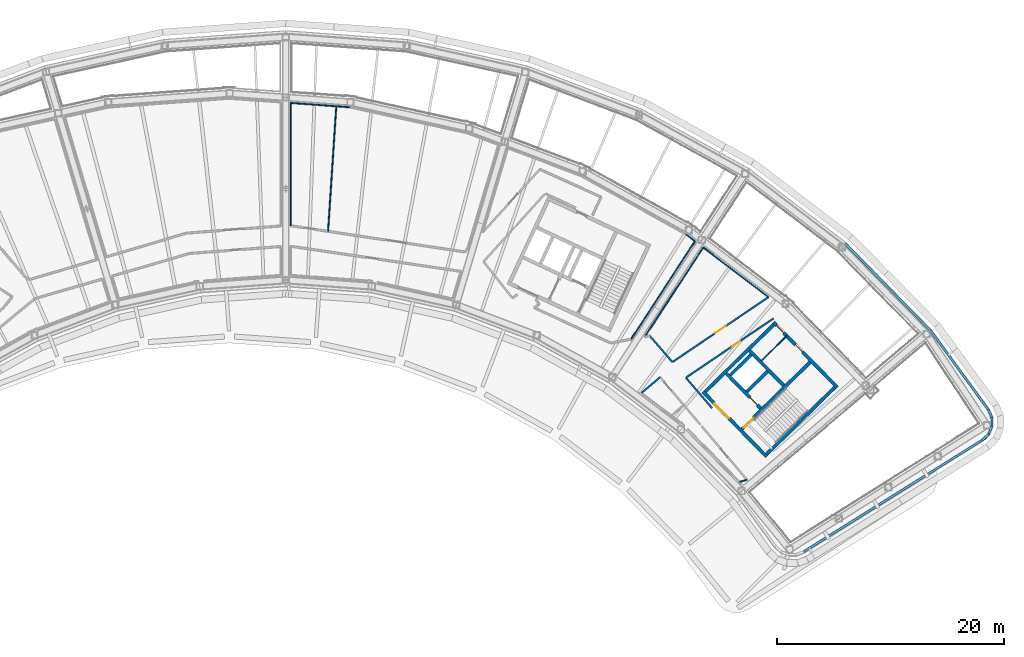
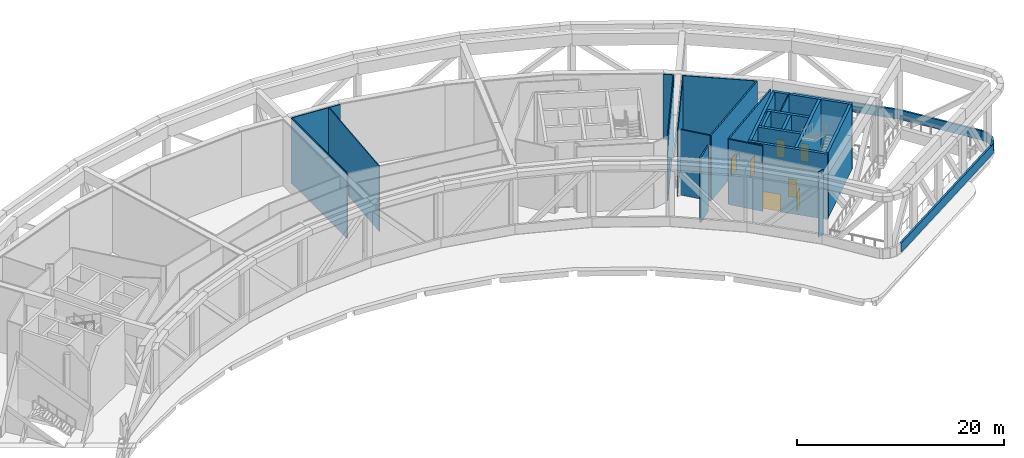
# One storey, part 11 of 27: 30 walls, 7 doors, 7 openings.
"""IFC4 building model written with IfcOpenShell, lengths in metres."""

import ifcopenshell
import ifcopenshell.guid

model = None  # the IFC model being written
_history = None  # IfcOwnerHistory: only IFC2X3 demands one
_inside = {}  # id of a spatial element -> (the spatial element, [elements in it])
_under = {}  # id of a project, library or spatial element -> (it, [spatial elements below it])
_declared = {}  # id of a project -> (the project, [libraries it declares])
_typed = {}  # id of a type object -> (the type object, [elements of that type])
_made_of = {}  # id of a material, layer set ... -> (it, [elements and type objects made of it])


def new_model(schema):
    """Start an empty IFC model of exactly this schema.

    Asked for "IFC4X3", IfcOpenShell would pick the latest addendum, in which some entities
    have other attributes; the version numbers below select the first issue.
    IFC2X3 requires an IfcOwnerHistory on every rooted entity: one is made here for all.
    """
    global model, _history
    if schema == "IFC4X3":
        model = ifcopenshell.file(schema_version=(4, 3, 0, 0))
    else:
        model = ifcopenshell.file(schema=schema)
    _inside.clear()
    _under.clear()
    _declared.clear()
    _typed.clear()
    _made_of.clear()
    _history = None
    if model.schema == "IFC2X3":
        org = make("IfcOrganization", Name="unknown")
        user = make(
            "IfcPersonAndOrganization",
            ThePerson=make("IfcPerson", FamilyName="unknown"),
            TheOrganization=org,
        )
        app = make(
            "IfcApplication",
            ApplicationDeveloper=org,
            Version="unknown",
            ApplicationFullName="unknown",
            ApplicationIdentifier="unknown",
        )
        _history = make(
            "IfcOwnerHistory",
            OwningUser=user,
            OwningApplication=app,
            ChangeAction="ADDED",
            CreationDate=0,
        )
    return model


def make(cls, **values):
    """One entity of the class cls with the attributes given. An attribute that is None is left unset."""
    return model.create_entity(
        cls, **{name: value for name, value in values.items() if value is not None}
    )


def rooted(cls, **values):
    """An entity with a GlobalId (a new one), such as an element, a storey or a relation."""
    return make(cls, GlobalId=ifcopenshell.guid.new(), OwnerHistory=_history, **values)


def si_unit(unit_type, name, prefix=None):
    """IfcSIUnit, for example si_unit("LENGTHUNIT", "METRE", prefix="MILLI")."""
    return make("IfcSIUnit", UnitType=unit_type, Prefix=prefix, Name=name)


def assignment(units):
    """IfcUnitAssignment: the units of a project."""
    return None if units is None else make("IfcUnitAssignment", Units=units)


def point(xyz):
    """IfcCartesianPoint."""
    return None if xyz is None else make("IfcCartesianPoint", Coordinates=xyz)


def direction(xyz):
    """IfcDirection."""
    return None if xyz is None else make("IfcDirection", DirectionRatios=xyz)


def frame(location, z_axis=None, x_axis=None):
    """IfcAxis2Placement3D, a coordinate frame: its origin and axes. An axis left out is left unset."""
    return make(
        "IfcAxis2Placement3D",
        Location=point(location),
        Axis=direction(z_axis),
        RefDirection=direction(x_axis),
    )


def frame_2d(location, x_axis=None):
    """IfcAxis2Placement2D, a coordinate frame in the plane: its origin and x axis."""
    return make(
        "IfcAxis2Placement2D", Location=point(location), RefDirection=direction(x_axis)
    )


def origin():
    """The frame at (0, 0, 0) with its axes left unset."""
    return frame((0.0, 0.0, 0.0))


def place(relative_to, where):
    """IfcLocalPlacement: puts the frame where relative to a parent placement (None: the world)."""
    return make(
        "IfcLocalPlacement", PlacementRelTo=relative_to, RelativePlacement=where
    )


def context(
    kind, dimensions, precision=None, world=None, true_north=None, identifier=None
):
    """IfcGeometricRepresentationContext, for example the 3D "Model" context."""
    return make(
        "IfcGeometricRepresentationContext",
        ContextIdentifier=identifier,
        ContextType=kind,
        CoordinateSpaceDimension=dimensions,
        Precision=precision,
        WorldCoordinateSystem=world,
        TrueNorth=true_north,
    )


def subcontext(parent, identifier, kind, view, scale=None):
    """IfcGeometricRepresentationSubContext, for example "Body" below "Model"."""
    return make(
        "IfcGeometricRepresentationSubContext",
        ContextIdentifier=identifier,
        ContextType=kind,
        ParentContext=parent,
        TargetScale=scale,
        TargetView=view,
    )


def project(units=None, contexts=None):
    """IfcProject with its units and contexts."""
    return rooted(
        "IfcProject",
        Name="project",
        RepresentationContexts=contexts,
        UnitsInContext=assignment(units),
    )


def spatial(cls, under=None, at=None, **own):
    """A site, building, storey or space (cls), placed at a placement, below another one or the project."""
    s = rooted(cls, ObjectPlacement=at, **own)
    if under is not None:
        _under.setdefault(under.id(), (under, []))[1].append(s)
    return s


def profile(cls, at=None, kind="AREA", **sizes):
    """A parametric profile (cls). Its sizes go by their IFC names, for example OverallWidth=200.0."""
    return make(cls, ProfileType=kind, Position=at, **sizes)


def rectangle(**sizes):
    """IfcRectangleProfileDef."""
    return profile("IfcRectangleProfileDef", **sizes)


def extrude(swept, where, along, depth):
    """IfcExtrudedAreaSolid: the profile swept, set in the frame where, extruded along a direction by depth."""
    return make(
        "IfcExtrudedAreaSolid",
        SweptArea=swept,
        Position=where,
        ExtrudedDirection=direction(along),
        Depth=depth,
    )


def shape(context_of_items, identifier, shape_type, items):
    """IfcShapeRepresentation: the items that make up one representation, for example the "Body"."""
    return make(
        "IfcShapeRepresentation",
        ContextOfItems=context_of_items,
        RepresentationIdentifier=identifier,
        RepresentationType=shape_type,
        Items=items,
    )


def material(Name=None, Category=None):
    """IfcMaterial."""
    return make("IfcMaterial", Name=Name, Category=Category)


def layer(
    of_material, thickness, ventilated=None, Name=None, Category=None, Priority=None
):
    """IfcMaterialLayer: one layer of a wall or slab, of a material (None: an air gap)."""
    return make(
        "IfcMaterialLayer",
        Material=of_material,
        LayerThickness=thickness,
        IsVentilated=ventilated,
        Name=Name,
        Category=Category,
        Priority=Priority,
    )


def layer_set(layers, Name=None):
    """IfcMaterialLayerSet."""
    return make("IfcMaterialLayerSet", MaterialLayers=layers, LayerSetName=Name)


def made_of(thing, what):
    """Note that an element or type object is made of a material, layer set ...; save() writes the relation."""
    if what is not None:
        _made_of.setdefault(what.id(), (what, []))[1].append(thing)
    return thing


def type_object(cls, material=None, **own):
    """A type object (cls), such as IfcWallType, which elements share."""
    return made_of(rooted(cls, **own), material)


def element(
    cls,
    number,
    at=None,
    inside=None,
    cuts=None,
    type_object=None,
    material=None,
    context=None,
    identifier="Body",
    shape_type=None,
    held_by="IfcProductDefinitionShape",
    body=None,
    shapes=None,
    **own,
):
    """One element of the class cls, such as IfcWall. Its Tag is "e" and its number.

    at: its placement. inside: the storey or other place that contains it. cuts: it is an
    opening in that element (IfcRelVoidsElement). A single representation is given by context,
    identifier, shape_type and body (its items); several are given by shapes. held_by: the class
    of the entity that holds the representations. save() writes the other relations.
    """
    e = rooted(cls, Tag="e%d" % number, ObjectPlacement=at, **own)
    if body is not None:
        shapes = [shape(context, identifier, shape_type, body)]
    if shapes is not None:
        e.Representation = make(held_by, Representations=shapes)
    if inside is not None:
        _inside.setdefault(inside.id(), (inside, []))[1].append(e)
    if cuts is not None:
        rooted(
            "IfcRelVoidsElement", RelatingBuildingElement=cuts, RelatedOpeningElement=e
        )
    if type_object is not None:
        _typed.setdefault(type_object.id(), (type_object, []))[1].append(e)
    return made_of(e, material)


def fill(opening, filler):
    """IfcRelFillsElement: the door or window that sits in an opening."""
    return rooted(
        "IfcRelFillsElement",
        RelatingOpeningElement=opening,
        RelatedBuildingElement=filler,
    )


def aggregate(whole, parts):
    """IfcRelAggregates: a whole, such as a stair, and the parts it consists of."""
    return rooted("IfcRelAggregates", RelatingObject=whole, RelatedObjects=parts)


def save(model, path):
    """Write the relations noted so far, then the file.

    IfcRelAggregates (storeys below a building ...), IfcRelContainedInSpatialStructure (elements
    in a storey), IfcRelDefinesByType, IfcRelAssociatesMaterial and IfcRelDeclares: one each for
    every whole, place, type object, material and project.
    """
    for whole, parts in _under.values():
        aggregate(whole, parts)
    for where, things in _inside.values():
        rooted(
            "IfcRelContainedInSpatialStructure",
            RelatedElements=things,
            RelatingStructure=where,
        )
    for kind, things in _typed.values():
        rooted("IfcRelDefinesByType", RelatedObjects=things, RelatingType=kind)
    for what, things in _made_of.values():
        rooted("IfcRelAssociatesMaterial", RelatedObjects=things, RelatingMaterial=what)
    for by, libraries in _declared.values():
        rooted("IfcRelDeclares", RelatingContext=by, RelatedDefinitions=libraries)
    model.write(path)


model = new_model("IFC4")

# Units and contexts
model_context = context("Model", 3, precision=1e-05, world=origin(), true_north=direction((0.0, 1.0)))
body_context = subcontext(model_context, "Body", "Model", "MODEL_VIEW")
ifc_project = project(units=[si_unit("LENGTHUNIT", "METRE"), si_unit("AREAUNIT", "SQUARE_METRE"), si_unit("VOLUMEUNIT", "CUBIC_METRE"), si_unit("PLANEANGLEUNIT", "RADIAN"), si_unit("MASSUNIT", "GRAM", prefix="KILO")], contexts=[model_context])

# Site, building, storey
site_placement = place(None, origin())
site = spatial("IfcSite", under=ifc_project, at=site_placement, CompositionType="ELEMENT")
building_placement = place(site_placement, origin())
building = spatial("IfcBuilding", under=site, at=building_placement, Name="Tuul Gate Civic Tower", CompositionType="ELEMENT")
storey_placement = place(building_placement, frame((0.0, 0.0, 201.5)))
storey = spatial("IfcBuildingStorey", under=building, at=storey_placement, Name="Wind floor 1", CompositionType="ELEMENT", Elevation=201.5)

# Wall, opening, door
ifc_material_1 = material(Name="Concrete C50/60", Category="concrete")
ifc_layer_1 = layer(ifc_material_1, 0.300048828125)
ifc_layer_set_1 = layer_set([ifc_layer_1], Name="Concrete C50/60")
wall_type_1 = type_object("IfcWallType", Name="Core wall C50/60", PredefinedType="SHEAR", material=ifc_layer_set_1)
wall_1_placement = place(storey_placement, frame((48.22509765625, -18.327880859375, 0.0), z_axis=(0.0, 0.0, 1.0), x_axis=(-0.700021979774, 0.714121297703, 0.0)))
wall_1 = element("IfcWall", 1, at=wall_1_placement, inside=storey, type_object=wall_type_1, Name="Core wall", PredefinedType="SHEAR", context=body_context, shape_type="SweptSolid", body=[
    extrude(rectangle(XDim=8.0, YDim=0.300048828125, at=frame_2d((4.0, 0.0))), origin(), (0.0, 0.0, 1.0), 7.699951171875),
])
opening_1_placement = place(wall_1_placement, frame((4.72509765625, 0.0, 0.0)))
opening_1 = element("IfcOpeningElement", 2, at=opening_1_placement, cuts=wall_1, Name="Opening LB-E1-LOBBY-1", PredefinedType="OPENING", context=body_context, shape_type="SweptSolid", body=[
    extrude(rectangle(XDim=1.800048828125, YDim=2.10009765625, at=frame_2d((0.89990234375, 1.050048828125))), frame((0.0, 0.16015625, 0.0), z_axis=(0.0, -1.0, 0.0), x_axis=(1.0, 0.0, 0.0)), (0.0, 0.0, 1.0), 0.320068359375),
])
ifc_material_2 = material(Name="Steel", Category="steel")
door_type_1 = type_object("IfcDoorType", Name="Lobby door", OperationType="DOUBLE_DOOR_SINGLE_SWING", PredefinedType="DOOR", material=ifc_material_2)
door_1_placement = place(opening_1_placement, frame((1.800048828125, 0.0, 0.0), z_axis=(0.0, 0.0, 1.0), x_axis=(-1.0, 0.0, 0.0)))
door_1 = element("IfcDoor", 3, at=door_1_placement, inside=storey, type_object=door_type_1, Name="Lobby door E1-LOBBY", OperationType="DOUBLE_DOOR_SINGLE_SWING", OverallHeight=2.10009765625, OverallWidth=1.800048828125, PredefinedType="DOOR", context=body_context, shape_type="SweptSolid", body=[
    extrude(rectangle(XDim=1.800048828125, YDim=2.10009765625, at=frame_2d((0.900146484375, 1.050048828125))), frame((0.0, 0.02490234375, 0.0), z_axis=(0.0, -1.0, 0.0), x_axis=(1.0, 0.0, 0.0)), (0.0, 0.0, 1.0), 0.050048828125),
])
fill(opening_1, door_1)

wall_2_placement = place(storey_placement, frame((47.701904296875, -14.079833984375, 0.0), z_axis=(0.0, 0.0, 1.0), x_axis=(-0.700002721075, 0.714140175657, 0.0)))
wall_2 = element("IfcWall", 4, at=wall_2_placement, inside=storey, type_object=wall_type_1, Name="Core wall", PredefinedType="SHEAR", context=body_context, shape_type="SweptSolid", body=[
    extrude(rectangle(XDim=4.300048828125, YDim=0.300048828125, at=frame_2d((2.14990234375, 0.0))), origin(), (0.0, 0.0, 1.0), 7.699951171875),
])
opening_2_placement = place(wall_2_placement, frame((0.425048828125, 0.0, 0.0)))
opening_2 = element("IfcOpeningElement", 5, at=opening_2_placement, cuts=wall_2, Name="Opening FB-E1A1", PredefinedType="OPENING", context=body_context, shape_type="SweptSolid", body=[
    extrude(rectangle(XDim=0.89990234375, YDim=2.10009765625, at=frame_2d((0.449951171875, 1.050048828125))), frame((0.0, 0.16015625, 0.0), z_axis=(0.0, -1.0, 0.0), x_axis=(1.0, 0.0, 0.0)), (0.0, 0.0, 1.0), 0.320068359375),
])
ifc_material_3 = material(Name="Steel", Category="steel")
door_type_2 = type_object("IfcDoorType", Name="Store door", OperationType="NOTDEFINED", PredefinedType="DOOR", material=ifc_material_3)
door_2_placement = place(opening_2_placement, frame((0.89990234375, 0.0, 0.0), z_axis=(0.0, 0.0, 1.0), x_axis=(-1.0, 0.0, 0.0)))
door_2 = element("IfcDoor", 6, at=door_2_placement, inside=storey, type_object=door_type_2, Name="Store door E1A1", OperationType="SINGLE_SWING_RIGHT", OverallHeight=2.10009765625, OverallWidth=0.89990234375, PredefinedType="DOOR", context=body_context, shape_type="SweptSolid", body=[
    extrude(rectangle(XDim=0.89990234375, YDim=2.10009765625, at=frame_2d((0.449951171875, 1.050048828125))), frame((0.0, 0.02490234375, 0.0), z_axis=(0.0, -1.0, 0.0), x_axis=(1.0, 0.0, 0.0)), (0.0, 0.0, 1.0), 0.050048828125),
])
fill(opening_2, door_2)

# Wall
wall_3_placement = place(storey_placement, frame((49.737060546875, -12.0849609375, 0.0), z_axis=(0.0, 0.0, 1.0), x_axis=(-0.700002721075, 0.714140175657, 0.0)))
element("IfcWall", 7, at=wall_3_placement, inside=storey, type_object=wall_type_1, Name="Core wall", PredefinedType="SHEAR", context=body_context, shape_type="SweptSolid", body=[
    extrude(rectangle(XDim=4.300048828125, YDim=0.300048828125, at=frame_2d((2.14990234375, 0.0))), origin(), (0.0, 0.0, 1.0), 7.699951171875),
])

# Wall, openings, doors
wall_4_placement = place(storey_placement, frame((54.43798828125, -12.23779296875, 0.0), z_axis=(0.0, 0.0, 1.0), x_axis=(-0.700021979774, 0.714121297703, 0.0)))
wall_4 = element("IfcWall", 8, at=wall_4_placement, inside=storey, type_object=wall_type_1, Name="Core wall", PredefinedType="SHEAR", context=body_context, shape_type="SweptSolid", body=[
    extrude(rectangle(XDim=8.0, YDim=0.300048828125, at=frame_2d((4.0, 0.0))), origin(), (0.0, 0.0, 1.0), 7.699951171875),
])
opening_3_placement = place(wall_4_placement, frame((4.34375, 0.0, 0.0)))
opening_3 = element("IfcOpeningElement", 9, at=opening_3_placement, cuts=wall_4, Name="Opening AF-D20", PredefinedType="OPENING", context=body_context, shape_type="SweptSolid", body=[
    extrude(rectangle(XDim=0.89990234375, YDim=2.10009765625, at=frame_2d((0.449951171875, 1.050048828125))), frame((0.0, 0.16015625, 0.0), z_axis=(0.0, -1.0, 0.0), x_axis=(1.0, 0.0, 0.0)), (0.0, 0.0, 1.0), 0.320068359375),
])
opening_4_placement = place(wall_4_placement, frame((6.71875, 0.0, 0.0)))
opening_4 = element("IfcOpeningElement", 10, at=opening_4_placement, cuts=wall_4, Name="Opening AF-D21", PredefinedType="OPENING", context=body_context, shape_type="SweptSolid", body=[
    extrude(rectangle(XDim=0.89990234375, YDim=2.10009765625, at=frame_2d((0.449951171875, 1.050048828125))), frame((0.0, 0.16015625, 0.0), z_axis=(0.0, -1.0, 0.0), x_axis=(1.0, 0.0, 0.0)), (0.0, 0.0, 1.0), 0.320068359375),
])
ifc_material_4 = material(Name="Timber door leaf", Category="wood")
door_type_3 = type_object("IfcDoorType", Name="Door D09", OperationType="NOTDEFINED", PredefinedType="DOOR", material=ifc_material_4)
door_3_placement = place(opening_3_placement, origin())
door_3 = element("IfcDoor", 11, at=door_3_placement, inside=storey, type_object=door_type_3, Name="Door AF-D20", OperationType="SINGLE_SWING_LEFT", OverallHeight=2.10009765625, OverallWidth=0.89990234375, PredefinedType="DOOR", context=body_context, shape_type="SweptSolid", body=[
    extrude(rectangle(XDim=0.89990234375, YDim=2.10009765625, at=frame_2d((0.449951171875, 1.050048828125))), frame((0.0, 0.02490234375, 0.0), z_axis=(0.0, -1.0, 0.0), x_axis=(1.0, 0.0, 0.0)), (0.0, 0.0, 1.0), 0.050048828125),
])
fill(opening_3, door_3)
door_4_placement = place(opening_4_placement, origin())
door_4 = element("IfcDoor", 12, at=door_4_placement, inside=storey, type_object=door_type_3, Name="Door AF-D21", OperationType="SINGLE_SWING_LEFT", OverallHeight=2.10009765625, OverallWidth=0.89990234375, PredefinedType="DOOR", context=body_context, shape_type="SweptSolid", body=[
    extrude(rectangle(XDim=0.89990234375, YDim=2.10009765625, at=frame_2d((0.449951171875, 1.050048828125))), frame((0.0, 0.02490234375, 0.0), z_axis=(0.0, -1.0, 0.0), x_axis=(1.0, 0.0, 0.0)), (0.0, 0.0, 1.0), 0.050048828125),
])
fill(opening_4, door_4)

# Wall
wall_5_placement = place(storey_placement, frame((48.227294921875, -18.115966796875, 0.0), z_axis=(0.0, 0.0, 1.0), x_axis=(0.714105315431, 0.700038283577, 0.0)))
element("IfcWall", 13, at=wall_5_placement, inside=storey, type_object=wall_type_1, Name="Core wall", PredefinedType="SHEAR", context=body_context, shape_type="SweptSolid", body=[
    extrude(rectangle(XDim=8.400146484375, YDim=0.300048828125, at=frame_2d((4.2001953125, 0.0))), origin(), (0.0, 0.0, 1.0), 7.699951171875),
])

# Wall, opening, door
wall_6_placement = place(storey_placement, frame((46.05712890625, -15.902099609375, 0.0), z_axis=(0.0, 0.0, 1.0), x_axis=(0.714134086973, 0.700008932674, 0.0)))
wall_6 = element("IfcWall", 14, at=wall_6_placement, inside=storey, type_object=wall_type_1, Name="Core wall", PredefinedType="SHEAR", context=body_context, shape_type="SweptSolid", body=[
    extrude(rectangle(XDim=8.400146484375, YDim=0.300048828125, at=frame_2d((4.2001953125, 0.0))), origin(), (0.0, 0.0, 1.0), 7.699951171875),
])
opening_5_placement = place(wall_6_placement, frame((0.199951171875, 0.0, 0.0)))
opening_5 = element("IfcOpeningElement", 15, at=opening_5_placement, cuts=wall_6, Name="Opening SD-ST-3", PredefinedType="OPENING", context=body_context, shape_type="SweptSolid", body=[
    extrude(rectangle(XDim=1.199951171875, YDim=2.10009765625, at=frame_2d((0.60009765625, 1.050048828125))), frame((0.0, 0.16015625, 0.0), z_axis=(0.0, -1.0, 0.0), x_axis=(1.0, 0.0, 0.0)), (0.0, 0.0, 1.0), 0.320068359375),
])
ifc_material_5 = material(Name="Steel", Category="steel")
door_type_4 = type_object("IfcDoorType", Name="Stair door", OperationType="NOTDEFINED", PredefinedType="DOOR", material=ifc_material_5)
door_5_placement = place(opening_5_placement, origin())
door_5 = element("IfcDoor", 16, at=door_5_placement, inside=storey, type_object=door_type_4, Name="Stair door ST-3", OperationType="SINGLE_SWING_LEFT", OverallHeight=2.10009765625, OverallWidth=1.199951171875, PredefinedType="DOOR", context=body_context, shape_type="SweptSolid", body=[
    extrude(rectangle(XDim=1.199951171875, YDim=2.10009765625, at=frame_2d((0.60009765625, 1.050048828125))), frame((0.0, 0.02490234375, 0.0), z_axis=(0.0, -1.0, 0.0), x_axis=(1.0, 0.0, 0.0)), (0.0, 0.0, 1.0), 0.050048828125),
])
fill(opening_5, door_5)

# Walls
wall_7_placement = place(storey_placement, frame((46.47900390625, -12.617919921875, 0.0), z_axis=(0.0, 0.0, 1.0), x_axis=(0.71410944159, 0.700034074479, 0.0)))
element("IfcWall", 17, at=wall_7_placement, inside=storey, type_object=wall_type_1, Name="Core wall", PredefinedType="SHEAR", context=body_context, shape_type="SweptSolid", body=[
    extrude(rectangle(XDim=2.5498046875, YDim=0.300048828125, at=frame_2d((1.27490234375, 0.0))), origin(), (0.0, 0.0, 1.0), 7.699951171875),
])
wall_8_placement = place(storey_placement, frame((45.0439453125, -11.154052734375, 0.0), z_axis=(0.0, 0.0, 1.0), x_axis=(0.714108498262, 0.700035036773, 0.0)))
element("IfcWall", 18, at=wall_8_placement, inside=storey, type_object=wall_type_1, Name="Core wall", PredefinedType="SHEAR", context=body_context, shape_type="SweptSolid", body=[
    extrude(rectangle(XDim=2.550048828125, YDim=0.300048828125, at=frame_2d((1.27490234375, 0.0))), origin(), (0.0, 0.0, 1.0), 7.699951171875),
])
wall_9_placement = place(storey_placement, frame((42.837158203125, -12.616943359375, 0.0), z_axis=(0.0, 0.0, 1.0), x_axis=(0.714119844755, 0.700023461983, 0.0)))
element("IfcWall", 19, at=wall_9_placement, inside=storey, type_object=wall_type_1, Name="Core wall", PredefinedType="SHEAR", context=body_context, shape_type="SweptSolid", body=[
    extrude(rectangle(XDim=8.39990234375, YDim=0.300048828125, at=frame_2d((4.199951171875, 0.0))), origin(), (0.0, 0.0, 1.0), 7.699951171875),
])
ifc_material_6 = material(Name="Gypsum board partition")
ifc_layer_2 = layer(ifc_material_6, 0.14990234375)
ifc_layer_set_2 = layer_set([ifc_layer_2], Name="Gypsum board partition")
wall_type_2 = type_object("IfcWallType", Name="Corridor wall P150", PredefinedType="PARTITIONING", material=ifc_layer_set_2)
wall_10_placement = place(storey_placement, frame((37.947509765625, -7.70068359375, 0.0), z_axis=(0.0, 0.0, 1.0), x_axis=(0.652898322153, -0.757445563014, 0.0)))
element("IfcWall", 20, at=wall_10_placement, inside=storey, type_object=wall_type_2, Name="p001", PredefinedType="PARTITIONING", context=body_context, shape_type="SweptSolid", body=[
    extrude(rectangle(XDim=3.04052734375, YDim=0.14990234375, at=frame_2d((1.520263671875, 0.0))), origin(), (0.0, 0.0, 1.0), 7.699951171875),
])
wall_11_placement = place(storey_placement, frame((41.14208984375, -11.406982421875, 0.0), z_axis=(0.0, 0.0, 1.0), x_axis=(0.652879095636, -0.757462135345, 0.0)))
element("IfcWall", 21, at=wall_11_placement, inside=storey, type_object=wall_type_2, Name="p002", PredefinedType="PARTITIONING", context=body_context, shape_type="SweptSolid", body=[
    extrude(rectangle(XDim=3.510986328125, YDim=0.14990234375, at=frame_2d((1.75537109375, 0.0))), origin(), (0.0, 0.0, 1.0), 7.699951171875),
])

# Wall, opening, door
wall_12_placement = place(storey_placement, frame((41.14599609375, -11.377197265625, 0.0), z_axis=(0.0, 0.0, 1.0), x_axis=(0.828317513542, 0.560258955091, 0.0)))
wall_12 = element("IfcWall", 22, at=wall_12_placement, inside=storey, type_object=wall_type_2, Name="p003", PredefinedType="PARTITIONING", context=body_context, shape_type="SweptSolid", body=[
    extrude(rectangle(XDim=9.283447265625, YDim=0.14990234375, at=frame_2d((4.6416015625, 0.0))), origin(), (0.0, 0.0, 1.0), 7.699951171875),
])
opening_6_placement = place(wall_12_placement, frame((4.853515625, 0.0, 0.0)))
opening_6 = element("IfcOpeningElement", 23, at=opening_6_placement, cuts=wall_12, Name="Opening AF-D01", PredefinedType="OPENING", context=body_context, shape_type="SweptSolid", body=[
    extrude(rectangle(XDim=0.89990234375, YDim=2.10009765625, at=frame_2d((0.449951171875, 1.050048828125))), frame((0.0, 0.0849609375, 0.0), z_axis=(0.0, -1.0, 0.0), x_axis=(1.0, 0.0, 0.0)), (0.0, 0.0, 1.0), 0.169921875),
])
door_6_placement = place(opening_6_placement, frame((0.89990234375, 0.0, 0.0), z_axis=(0.0, 0.0, 1.0), x_axis=(-1.0, 0.0, 0.0)))
door_6 = element("IfcDoor", 24, at=door_6_placement, inside=storey, type_object=door_type_3, Name="Door AF-D01", OperationType="SINGLE_SWING_LEFT", OverallHeight=2.10009765625, OverallWidth=0.89990234375, PredefinedType="DOOR", context=body_context, shape_type="SweptSolid", body=[
    extrude(rectangle(XDim=0.89990234375, YDim=2.10009765625, at=frame_2d((0.449951171875, 1.050048828125))), frame((0.0, 0.02490234375, 0.0), z_axis=(0.0, -1.0, 0.0), x_axis=(1.0, 0.0, 0.0)), (0.0, 0.0, 1.0), 0.050048828125),
])
fill(opening_6, door_6)

# Wall
wall_13_placement = place(storey_placement, frame((37.23095703125, -12.726318359375, 0.0), z_axis=(0.0, 0.0, 1.0), x_axis=(0.763537331799, 0.645763689711, 0.0)))
element("IfcWall", 25, at=wall_13_placement, inside=storey, type_object=wall_type_2, Name="p012", PredefinedType="PARTITIONING", context=body_context, shape_type="SweptSolid", body=[
    extrude(rectangle(XDim=2.1455078125, YDim=0.14990234375, at=frame_2d((1.07275390625, 0.0))), origin(), (0.0, 0.0, 1.0), 7.699951171875),
])

# Wall, opening, door
wall_14_placement = place(storey_placement, frame((39.95361328125, -10.009521484375, 0.0), z_axis=(0.0, 0.0, 1.0), x_axis=(0.828352429072, 0.560207330594, 0.0)))
wall_14 = element("IfcWall", 26, at=wall_14_placement, inside=storey, type_object=wall_type_2, Name="p018", PredefinedType="PARTITIONING", context=body_context, shape_type="SweptSolid", body=[
    extrude(rectangle(XDim=10.187255859375, YDim=0.14990234375, at=frame_2d((5.09375, 0.0))), origin(), (0.0, 0.0, 1.0), 7.699951171875),
])
opening_7_placement = place(wall_14_placement, frame((4.543701171875, 0.0, 0.0)))
opening_7 = element("IfcOpeningElement", 27, at=opening_7_placement, cuts=wall_14, Name="Opening AF-D05", PredefinedType="OPENING", context=body_context, shape_type="SweptSolid", body=[
    extrude(rectangle(XDim=1.10009765625, YDim=2.10009765625, at=frame_2d((0.550048828125, 1.050048828125))), frame((0.0, 0.0849609375, 0.0), z_axis=(0.0, -1.0, 0.0), x_axis=(1.0, 0.0, 0.0)), (0.0, 0.0, 1.0), 0.169921875),
])
ifc_material_7 = material(Name="Timber door leaf", Category="wood")
door_type_5 = type_object("IfcDoorType", Name="Door D11", OperationType="NOTDEFINED", PredefinedType="DOOR", material=ifc_material_7)
door_7_placement = place(opening_7_placement, origin())
door_7 = element("IfcDoor", 28, at=door_7_placement, inside=storey, type_object=door_type_5, Name="Door AF-D05", OperationType="SINGLE_SWING_RIGHT", OverallHeight=2.10009765625, OverallWidth=1.10009765625, PredefinedType="DOOR", context=body_context, shape_type="SweptSolid", body=[
    extrude(rectangle(XDim=1.10009765625, YDim=2.10009765625, at=frame_2d((0.550048828125, 1.050048828125))), frame((0.0, 0.02490234375, 0.0), z_axis=(0.0, -1.0, 0.0), x_axis=(1.0, 0.0, 0.0)), (0.0, 0.0, 1.0), 0.050048828125),
])
fill(opening_7, door_7)

# Walls
ifc_material_8 = material(Name="Concrete C40/50", Category="concrete")
ifc_layer_3 = layer(ifc_material_8, 0.199951171875)
ifc_layer_set_3 = layer_set([ifc_layer_3], Name="Concrete C40/50")
wall_type_3 = type_object("IfcWallType", Name="Crown parapet", PredefinedType="PARAPET", material=ifc_layer_set_3)
wall_15_placement = place(storey_placement, frame((67.203369140625, -16.8740234375, 0.0), z_axis=(0.0, 0.0, 1.0), x_axis=(0.722338380807, 0.691539777318, 0.0)))
element("IfcWall", 29, at=wall_15_placement, inside=storey, type_object=wall_type_3, Name="Parapet", PredefinedType="PARAPET", context=body_context, shape_type="SweptSolid", body=[
    extrude(rectangle(XDim=0.768798828125, YDim=0.199951171875, at=frame_2d((0.38427734375, 0.0))), origin(), (0.0, 0.0, 1.0), 1.10009765625),
])
wall_16_placement = place(storey_placement, frame((67.7587890625, -16.34228515625, 0.0), z_axis=(0.0, 0.0, 1.0), x_axis=(0.386272859351, 0.922384560869, 0.0)))
element("IfcWall", 30, at=wall_16_placement, inside=storey, type_object=wall_type_3, Name="Parapet", PredefinedType="PARAPET", context=body_context, shape_type="SweptSolid", body=[
    extrude(rectangle(XDim=0.752685546875, YDim=0.199951171875, at=frame_2d((0.37646484375, 0.0))), origin(), (0.0, 0.0, 1.0), 1.10009765625),
])
wall_17_placement = place(storey_placement, frame((68.049560546875, -15.64794921875, 0.0), z_axis=(0.0, 0.0, 1.0), x_axis=(-0.014580433083, 0.999893699836, 0.0)))
element("IfcWall", 31, at=wall_17_placement, inside=storey, type_object=wall_type_3, Name="Parapet", PredefinedType="PARAPET", context=body_context, shape_type="SweptSolid", body=[
    extrude(rectangle(XDim=0.75341796875, YDim=0.199951171875, at=frame_2d((0.376708984375, 0.0))), origin(), (0.0, 0.0, 1.0), 1.10009765625),
])
wall_18_placement = place(storey_placement, frame((68.03857421875, -14.89453125, 0.0), z_axis=(0.0, 0.0, 1.0), x_axis=(-0.413252856297, 0.910616316987, 0.0)))
element("IfcWall", 32, at=wall_18_placement, inside=storey, type_object=wall_type_3, Name="Parapet", PredefinedType="PARAPET", context=body_context, shape_type="SweptSolid", body=[
    extrude(rectangle(XDim=0.769287109375, YDim=0.199951171875, at=frame_2d((0.384765625, 0.0))), origin(), (0.0, 0.0, 1.0), 1.10009765625),
])
wall_19_placement = place(storey_placement, frame((67.720703125, -14.194091796875, 0.0), z_axis=(0.0, 0.0, 1.0), x_axis=(-0.589712199688, 0.807613472856, 0.0)))
element("IfcWall", 33, at=wall_19_placement, inside=storey, type_object=wall_type_3, Name="Parapet", PredefinedType="PARAPET", context=body_context, shape_type="SweptSolid", body=[
    extrude(rectangle(XDim=8.587890625, YDim=0.199951171875, at=frame_2d((4.2939453125, 0.0))), origin(), (0.0, 0.0, 1.0), 1.10009765625),
])
wall_20_placement = place(storey_placement, frame((62.65625, -7.25830078125, 0.0), z_axis=(0.0, 0.0, 1.0), x_axis=(-0.700049825897, 0.714094000298, 0.0)))
element("IfcWall", 34, at=wall_20_placement, inside=storey, type_object=wall_type_3, Name="Parapet", PredefinedType="PARAPET", context=body_context, shape_type="SweptSolid", body=[
    extrude(rectangle(XDim=10.7431640625, YDim=0.199951171875, at=frame_2d((5.37158203125, 0.0))), origin(), (0.0, 0.0, 1.0), 1.10009765625),
])
wall_21_placement = place(storey_placement, frame((51.49853515625, -26.688232421875, 0.0), z_axis=(0.0, 0.0, 1.0), x_axis=(0.848030212814, 0.529947882489, 0.0)))
element("IfcWall", 35, at=wall_21_placement, inside=storey, type_object=wall_type_3, Name="Parapet", PredefinedType="PARAPET", context=body_context, shape_type="SweptSolid", body=[
    extrude(rectangle(XDim=18.912109375, YDim=0.199951171875, at=frame_2d((9.4560546875, 0.0))), origin(), (0.0, 0.0, 1.0), 1.10009765625),
])
ifc_material_9 = material(Name="Gypsum board partition")
ifc_layer_4 = layer(ifc_material_9, 0.10009765625)
ifc_layer_set_4 = layer_set([ifc_layer_4], Name="Gypsum board partition")
wall_type_4 = type_object("IfcWallType", Name="Partition P100", PredefinedType="PARTITIONING", material=ifc_layer_set_4)
wall_22_placement = place(storey_placement, frame((9.66357421875, 1.48095703125, 0.0), z_axis=(0.0, 0.0, 1.0), x_axis=(0.065405052076, 0.997858797207, 0.0)))
element("IfcWall", 36, at=wall_22_placement, inside=storey, type_object=wall_type_4, Name="p026", PredefinedType="PARTITIONING", context=body_context, shape_type="SweptSolid", body=[
    extrude(rectangle(XDim=11.026611328125, YDim=0.10009765625, at=frame_2d((5.51318359375, 0.0))), origin(), (0.0, 0.0, 1.0), 7.699951171875),
])
wall_23_placement = place(storey_placement, frame((37.527587890625, -7.779541015625, 0.0), z_axis=(0.0, 0.0, 1.0), x_axis=(0.546734117846, 0.837306278719, 0.0)))
element("IfcWall", 37, at=wall_23_placement, inside=storey, type_object=wall_type_4, Name="p056", PredefinedType="PARTITIONING", context=body_context, shape_type="SweptSolid", body=[
    extrude(rectangle(XDim=9.37255859375, YDim=0.10009765625, at=frame_2d((4.686279296875, 0.0))), origin(), (0.0, 0.0, 1.0), 7.699951171875),
])
wall_24_placement = place(storey_placement, frame((42.65185546875, 0.068115234375, 0.0), z_axis=(0.0, 0.0, 1.0), x_axis=(0.795638295763, -0.605771988719, 0.0)))
element("IfcWall", 38, at=wall_24_placement, inside=storey, type_object=wall_type_4, Name="p057", PredefinedType="PARTITIONING", context=body_context, shape_type="SweptSolid", body=[
    extrude(rectangle(XDim=7.21484375, YDim=0.10009765625, at=frame_2d((3.607421875, 0.0))), origin(), (0.0, 0.0, 1.0), 7.699951171875),
])
wall_25_placement = place(storey_placement, frame((41.145263671875, 1.215087890625, 0.0), z_axis=(0.0, 0.0, 1.0), x_axis=(0.795782234283, -0.605582889123, 0.0)))
element("IfcWall", 39, at=wall_25_placement, inside=storey, type_object=wall_type_4, Name="p062", PredefinedType="PARTITIONING", context=body_context, shape_type="SweptSolid", body=[
    extrude(rectangle(XDim=0.990966796875, YDim=0.10009765625, at=frame_2d((0.49560546875, 0.0))), origin(), (0.0, 0.0, 1.0), 7.699951171875),
])
wall_26_placement = place(storey_placement, frame((41.933837890625, 0.614990234375, 0.0), z_axis=(0.0, 0.0, 1.0), x_axis=(-0.546721757105, -0.837314349757, 0.0)))
element("IfcWall", 40, at=wall_26_placement, inside=storey, type_object=wall_type_4, Name="p063", PredefinedType="PARTITIONING", context=body_context, shape_type="SweptSolid", body=[
    extrude(rectangle(XDim=10.30029296875, YDim=0.10009765625, at=frame_2d((5.150146484375, 0.0))), origin(), (0.0, 0.0, 1.0), 7.699951171875),
])
wall_27_placement = place(storey_placement, frame((6.389892578125, 12.773193359375, 0.0), z_axis=(0.0, 0.0, 1.0), x_axis=(0.997383765384, -0.072288481441, 0.0)))
element("IfcWall", 41, at=wall_27_placement, inside=storey, type_object=wall_type_4, Name="p064", PredefinedType="PARTITIONING", context=body_context, shape_type="SweptSolid", body=[
    extrude(rectangle(XDim=5.19775390625, YDim=0.10009765625, at=frame_2d((2.598876953125, 0.0))), origin(), (0.0, 0.0, 1.0), 7.699951171875),
])
wall_28_placement = place(storey_placement, frame((6.389892578125, 1.973388671875, 0.0), z_axis=(0.0, 0.0, 1.0), x_axis=(0.0, 1.0, 0.0)))
element("IfcWall", 42, at=wall_28_placement, inside=storey, type_object=wall_type_4, Name="p068", PredefinedType="PARTITIONING", context=body_context, shape_type="SweptSolid", body=[
    extrude(rectangle(XDim=10.7998046875, YDim=0.10009765625, at=frame_2d((5.39990234375, 0.0))), origin(), (0.0, 0.0, 1.0), 7.699951171875),
])
wall_29_placement = place(storey_placement, frame((46.49951171875, -20.36328125, 0.0), z_axis=(0.0, 0.0, 1.0), x_axis=(-0.959096827076, -0.283078215857, 0.0)))
element("IfcWall", 43, at=wall_29_placement, inside=storey, type_object=wall_type_4, Name="p108", PredefinedType="PARTITIONING", context=body_context, shape_type="SweptSolid", body=[
    extrude(rectangle(XDim=0.666748046875, YDim=0.10009765625, at=frame_2d((0.33349609375, 0.0))), origin(), (0.0, 0.0, 1.0), 7.699951171875),
])
wall_30_placement = place(storey_placement, frame((47.787841796875, -9.882080078125, 0.0), z_axis=(0.0, 0.0, 1.0), x_axis=(0.714119924869, 0.700023380256, 0.0)))
element("IfcWall", 44, at=wall_30_placement, inside=storey, type_object=wall_type_4, Name="bE1-BAND-0", PredefinedType="PARTITIONING", context=body_context, shape_type="SweptSolid", body=[
    extrude(rectangle(XDim=3.10009765625, YDim=0.10009765625, at=frame_2d((1.550048828125, 0.0))), origin(), (0.0, 0.0, 1.0), 7.699951171875),
])

save(model, "model.ifc")
